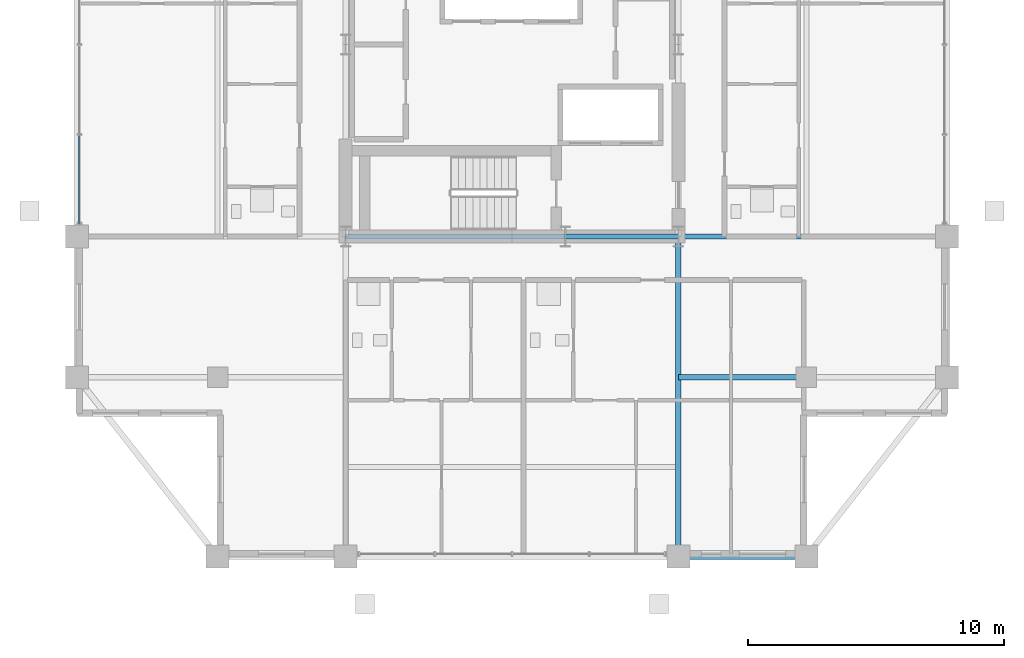
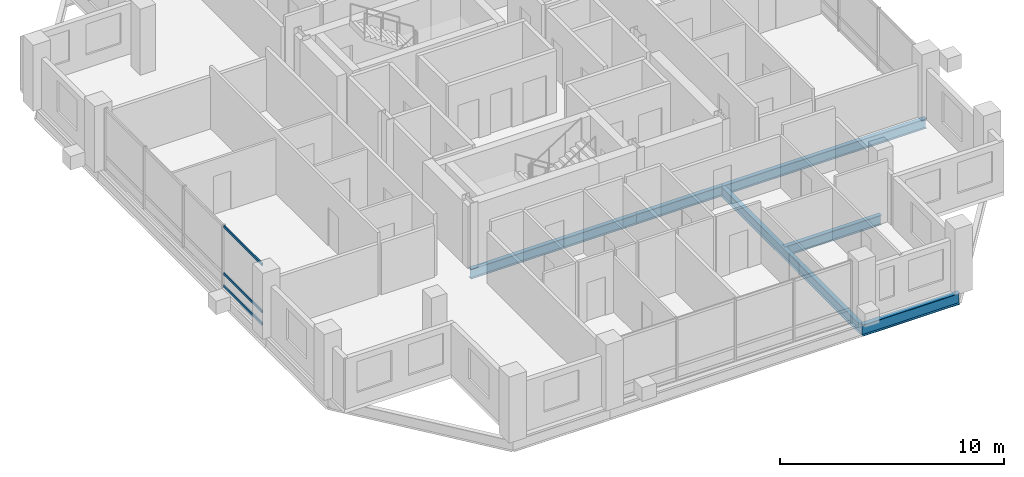
# One storey, part 5 of 22: 6 beams, 3 members, 1 element without a shape of its own.
"""IFC4 building model written with IfcOpenShell, lengths in metres."""

from ifc_helpers import new_model, si_unit, direction, frame, origin, origin_2d, place, context, subcontext, project, spatial, hollow_rectangle, i_section, extrude, material, layer, layer_set, material_profile, profile_set, type_object, element, aggregate, save


model = new_model("IFC4")

# Units and contexts
model_context = context("Model", 3, precision=1e-05, world=origin(), true_north=direction((0.0, 1.0)))
body_context = subcontext(model_context, "Body", "Model", "MODEL_VIEW")
ifc_project = project(units=[si_unit("LENGTHUNIT", "METRE"), si_unit("AREAUNIT", "SQUARE_METRE"), si_unit("VOLUMEUNIT", "CUBIC_METRE"), si_unit("PLANEANGLEUNIT", "RADIAN"), si_unit("MASSUNIT", "GRAM", prefix="KILO")], contexts=[model_context])

# Site, building, storey
site_placement = place(None, origin())
site = spatial("IfcSite", under=ifc_project, at=site_placement, CompositionType="ELEMENT")
building_placement = place(site_placement, origin())
building = spatial("IfcBuilding", under=site, at=building_placement, Name="Barlavira Tower and Art Museum", CompositionType="ELEMENT")
storey_placement = place(building_placement, frame((0.0, 0.0, 243.89990234375)))
storey = spatial("IfcBuildingStorey", under=building, at=storey_placement, Name="L63", CompositionType="ELEMENT", Elevation=243.89990234375)

# Curtain wall, members
ifc_material_1 = material(Name="Low-iron coastal laminated glass", Category="glass")
ifc_layer = layer(ifc_material_1, 0.2099609375, Name="Low-iron coastal laminated glass")
ifc_layer_set = layer_set([ifc_layer], Name="Low-iron coastal laminated glass")
curtain_wall_type = type_object("IfcCurtainWallType", Name="Pale-Metal Unitised Curtain Wall Zone 4", PredefinedType="NOTDEFINED", material=ifc_layer_set)
curtain_wall_placement = place(storey_placement, origin())
curtain_wall = element("IfcCurtainWall", 1, at=curtain_wall_placement, inside=storey, type_object=curtain_wall_type, Name="L63 Curtain Wall CW4-L63-W-B3", PredefinedType="NOTDEFINED")
ifc_material_2 = material(Name="Pale anodised aluminium", Category="aluminium")
ifc_material_profile_1 = material_profile(ifc_material_2, hollow_rectangle(XDim=0.06494140625, YDim=0.139892578125, WallThickness=0.00390625, at=origin_2d()), Name="ALU-TRAN 65x140x4")
ifc_profile_set_1 = profile_set([ifc_material_profile_1], Name="Pale anodised aluminium")
member_type = type_object("IfcMemberType", Name="Curtain Wall Pale-Metal Transom 65x140", PredefinedType="USERDEFINED", material=ifc_profile_set_1)
member_1_placement = place(storey_placement, frame((-16.89990234375, -3.56005859375, 0.070068359375), z_axis=(0.0, -1.0, 0.0), x_axis=(1.0, 0.0, 0.0)))
member_1 = element("IfcMember", 2, at=member_1_placement, type_object=member_type, Name="CW4-L63-W-B3 Transom 3.1", ObjectType="TRANSOM", PredefinedType="USERDEFINED", context=body_context, shape_type="SweptSolid", body=[
    extrude(hollow_rectangle(XDim=0.06494140625, YDim=0.139892578125, WallThickness=0.00390625, at=origin_2d()), origin(), (0.0, 0.0, 1.0), 3.425048828125),
])
member_2_placement = place(storey_placement, frame((-16.89990234375, -3.56005859375, 0.744140625), z_axis=(0.0, -1.0, 0.0), x_axis=(1.0, 0.0, 0.0)))
member_2 = element("IfcMember", 3, at=member_2_placement, type_object=member_type, Name="CW4-L63-W-B3 Transom 3.2", ObjectType="TRANSOM", PredefinedType="USERDEFINED", context=body_context, shape_type="SweptSolid", body=[
    extrude(hollow_rectangle(XDim=0.06494140625, YDim=0.139892578125, WallThickness=0.00390625, at=origin_2d()), origin(), (0.0, 0.0, 1.0), 3.425048828125),
])
member_3_placement = place(storey_placement, frame((-16.89990234375, -3.56005859375, 3.31005859375), z_axis=(0.0, -1.0, 0.0), x_axis=(1.0, 0.0, 0.0)))
member_3 = element("IfcMember", 4, at=member_3_placement, type_object=member_type, Name="CW4-L63-W-B3 Transom 3.3", ObjectType="TRANSOM", PredefinedType="USERDEFINED", context=body_context, shape_type="SweptSolid", body=[
    extrude(hollow_rectangle(XDim=0.06494140625, YDim=0.139892578125, WallThickness=0.00390625, at=origin_2d()), origin(), (0.0, 0.0, 1.0), 3.425048828125),
])
aggregate(curtain_wall, [member_1, member_2, member_3])

# Beams
ifc_material_3 = material(Name="Steel S355", Category="steel")
ifc_material_profile_2 = material_profile(ifc_material_3, i_section(OverallWidth=0.22998046875, OverallDepth=0.616943359375, WebThickness=0.01318359375, FlangeThickness=0.022216796875, at=origin_2d()), Name="W610x140.0")
ifc_profile_set_2 = profile_set([ifc_material_profile_2], Name="Steel S355")
beam_type_1 = type_object("IfcBeamType", Name="Upper Shaft Spandrel Edge Beam W610x140 Steel S355", PredefinedType="SPANDREL", material=ifc_profile_set_2)
beam_1_placement = place(storey_placement, frame((6.5, -20.0, -0.5283203125), z_axis=(1.0, 0.0, 0.0), x_axis=(0.0, 1.0, 0.0)))
element("IfcBeam", 5, at=beam_1_placement, inside=storey, type_object=beam_type_1, Name="L63 Spandrel 3", PredefinedType="SPANDREL", context=body_context, shape_type="SweptSolid", body=[
    extrude(i_section(OverallWidth=0.22998046875, OverallDepth=0.616943359375, WebThickness=0.01318359375, FlangeThickness=0.022216796875, at=origin_2d()), origin(), (0.0, 0.0, 1.0), 5.0),
])
ifc_material_profile_3 = material_profile(ifc_material_3, i_section(OverallWidth=0.2109375, OverallDepth=0.5390625, WebThickness=0.01171875, FlangeThickness=0.018798828125, at=origin_2d()), Name="W530x109.0")
ifc_profile_set_3 = profile_set([ifc_material_profile_3], Name="Steel S355")
beam_type_2 = type_object("IfcBeamType", Name="Zone 3-4 Primary Floor Girder W530x109 Steel S355", PredefinedType="BEAM", material=ifc_profile_set_3)
beam_2_placement = place(storey_placement, frame((-6.5, -7.5, -0.489501953125), z_axis=(1.0, 0.0, 0.0), x_axis=(0.0, 1.0, 0.0)))
element("IfcBeam", 6, at=beam_2_placement, inside=storey, type_object=beam_type_2, Name="L63 Girder C-S1", PredefinedType="BEAM", context=body_context, shape_type="SweptSolid", body=[
    extrude(i_section(OverallWidth=0.2109375, OverallDepth=0.5390625, WebThickness=0.01171875, FlangeThickness=0.018798828125, at=origin_2d()), origin(), (0.0, 0.0, 1.0), 8.580078125),
])
beam_3_placement = place(storey_placement, frame((2.080078125, -7.5, -0.489501953125), z_axis=(1.0, 0.0, 0.0), x_axis=(0.0, 1.0, 0.0)))
element("IfcBeam", 7, at=beam_3_placement, inside=storey, type_object=beam_type_2, Name="L63 Girder C-S2", PredefinedType="BEAM", context=body_context, shape_type="SweptSolid", body=[
    extrude(i_section(OverallWidth=0.2109375, OverallDepth=0.5390625, WebThickness=0.01171875, FlangeThickness=0.018798828125, at=origin_2d()), origin(), (0.0, 0.0, 1.0), 4.419921875),
])
beam_4_placement = place(storey_placement, frame((6.5, -20.0, -0.489501953125), z_axis=(0.0, 1.0, 0.0), x_axis=(-1.0, 0.0, 0.0)))
element("IfcBeam", 8, at=beam_4_placement, inside=storey, type_object=beam_type_2, Name="L63 Girder R-S2", PredefinedType="BEAM", context=body_context, shape_type="SweptSolid", body=[
    extrude(i_section(OverallWidth=0.2109375, OverallDepth=0.5390625, WebThickness=0.01171875, FlangeThickness=0.018798828125, at=origin_2d()), origin(), (0.0, 0.0, 1.0), 12.5),
])
beam_5_placement = place(storey_placement, frame((6.5, -7.5, -0.489501953125), z_axis=(1.0, 0.0, 0.0), x_axis=(0.0, 1.0, 0.0)))
element("IfcBeam", 9, at=beam_5_placement, inside=storey, type_object=beam_type_2, Name="L63 Girder R-E1", PredefinedType="BEAM", context=body_context, shape_type="SweptSolid", body=[
    extrude(i_section(OverallWidth=0.2109375, OverallDepth=0.5390625, WebThickness=0.01171875, FlangeThickness=0.018798828125, at=origin_2d()), origin(), (0.0, 0.0, 1.0), 10.5),
])
beam_6_placement = place(storey_placement, frame((6.5, -13.0, -0.489501953125), z_axis=(1.0, 0.0, 0.0), x_axis=(0.0, 1.0, 0.0)))
element("IfcBeam", 10, at=beam_6_placement, inside=storey, type_object=beam_type_2, Name="L63 Girder I-S3", PredefinedType="BEAM", context=body_context, shape_type="SweptSolid", body=[
    extrude(i_section(OverallWidth=0.2109375, OverallDepth=0.5390625, WebThickness=0.01171875, FlangeThickness=0.018798828125, at=origin_2d()), origin(), (0.0, 0.0, 1.0), 5.0),
])

save(model, "model.ifc")
